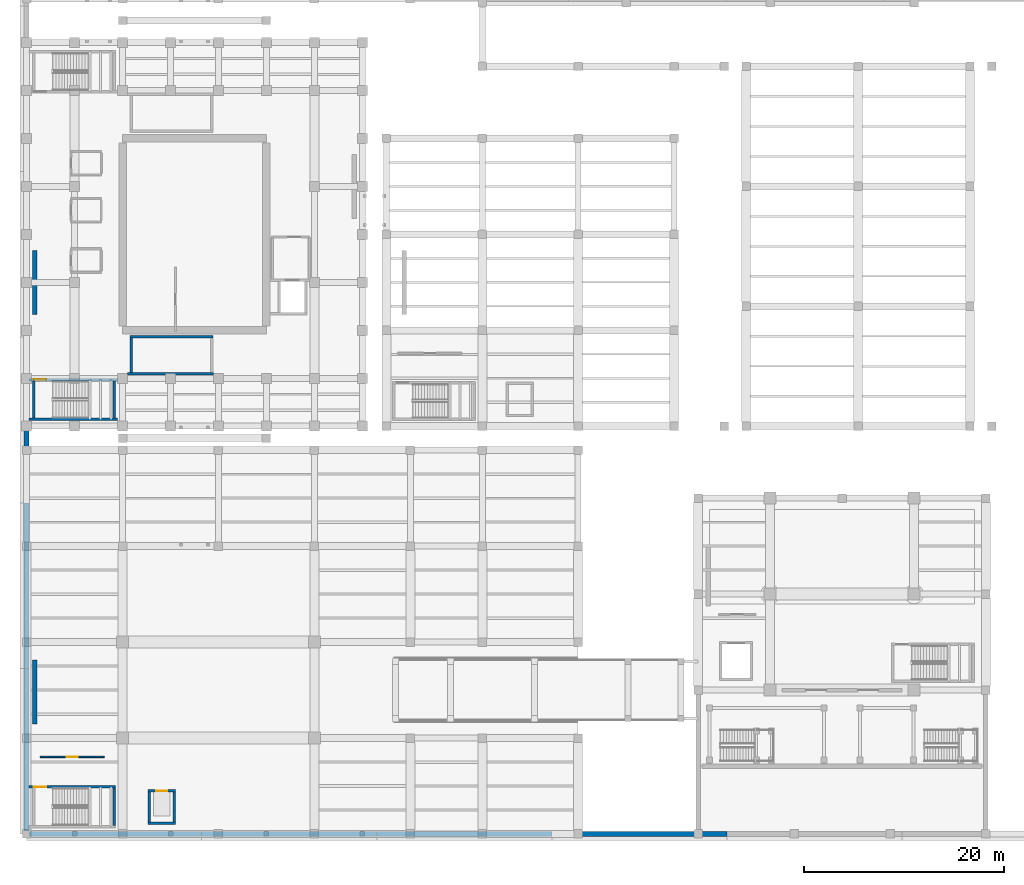
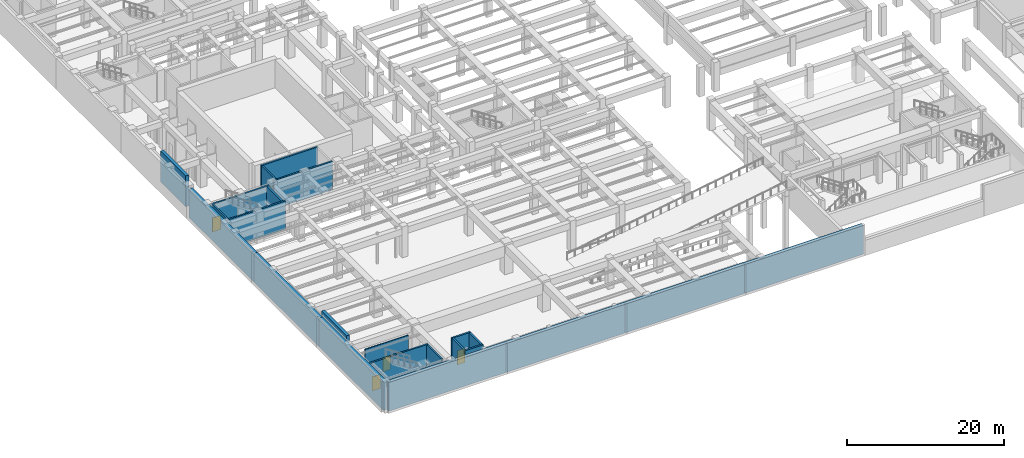
# One storey, part 23 of 45: 23 walls, 4 doors, 4 openings.
"""IFC4 building model written with IfcOpenShell, lengths in metres."""

from ifc_helpers import new_model, si_unit, direction, frame, frame_2d, origin, place, context, subcontext, project, spatial, rectangle, extrude, material, layer, layer_set, type_object, element, fill, save


model = new_model("IFC4")

# Units and contexts
model_context = context("Model", 3, precision=1e-05, world=origin(), true_north=direction((0.0, 1.0)))
body_context = subcontext(model_context, "Body", "Model", "MODEL_VIEW")
ifc_project = project(units=[si_unit("LENGTHUNIT", "METRE"), si_unit("AREAUNIT", "SQUARE_METRE"), si_unit("VOLUMEUNIT", "CUBIC_METRE"), si_unit("PLANEANGLEUNIT", "RADIAN"), si_unit("MASSUNIT", "GRAM", prefix="KILO")], contexts=[model_context])

# Site, building, storey
site_placement = place(None, origin())
site = spatial("IfcSite", under=ifc_project, at=site_placement, CompositionType="ELEMENT")
building_placement = place(site_placement, origin())
building = spatial("IfcBuilding", under=site, at=building_placement, Name="Mavantir Sound Aquarium", CompositionType="ELEMENT")
storey_placement = place(building_placement, frame((0.0, 0.0, -4.800048828125)))
storey = spatial("IfcBuildingStorey", under=building, at=storey_placement, Name="B1", CompositionType="ELEMENT", Elevation=-4.800048828125)

# Wall, opening, door
ifc_material_1 = material(Name="Moisture-Resistant Marine Gypsum Partition", Category="gypsum")
ifc_layer_1 = layer(ifc_material_1, 0.14990234375, Name="Moisture-Resistant Marine Gypsum Partition")
ifc_layer_set_1 = layer_set([ifc_layer_1], Name="Moisture-Resistant Marine Gypsum Partition")
wall_type_1 = type_object("IfcWallType", Name="IW-PART-150", PredefinedType="PARTITIONING", material=ifc_layer_set_1)
wall_1_placement = place(storey_placement, frame((1.35009765625, 7.72509765625, 0.0), z_axis=(0.0, 0.0, 1.0), x_axis=(1.0, 0.0, 0.0)))
wall_1 = element("IfcWall", 1, at=wall_1_placement, inside=storey, type_object=wall_type_1, Name="B1 Visitor and Accessible Closed-Loop Parking Garage entry partition", PredefinedType="PARTITIONING", context=body_context, shape_type="SweptSolid", body=[
    extrude(rectangle(XDim=6.39990234375, YDim=0.14990234375, at=frame_2d((3.199951171875, 0.0))), origin(), (0.0, 0.0, 1.0), 4.43994140625),
])
opening_1_placement = place(wall_1_placement, frame((2.64990234375, 0.0, 0.0)))
opening_1 = element("IfcOpeningElement", 2, at=opening_1_placement, cuts=wall_1, Name="Opening ID-06", PredefinedType="OPENING", context=body_context, shape_type="SweptSolid", body=[
    extrude(rectangle(XDim=1.10009765625, YDim=2.199951171875, at=frame_2d((0.550048828125, 1.10009765625))), frame((0.0, 0.0849609375, 0.0), z_axis=(0.0, -1.0, 0.0), x_axis=(1.0, 0.0, 0.0)), (0.0, 0.0, 1.0), 0.169921875),
])
ifc_material_2 = material(Name="Solid-Core Marine Hardwood and Vision-Panel Door", Category="wood")
door_type_1 = type_object("IfcDoorType", Name="DR-INT-06", OperationType="NOTDEFINED", PredefinedType="DOOR", material=ifc_material_2)
door_1_placement = place(opening_1_placement, origin())
door_1 = element("IfcDoor", 3, at=door_1_placement, inside=storey, type_object=door_type_1, Name="Visitor and Accessible Closed-Loop Parking Garage door", OperationType="SINGLE_SWING_LEFT", OverallHeight=2.199951171875, OverallWidth=1.10009765625, PredefinedType="DOOR", context=body_context, shape_type="SweptSolid", body=[
    extrude(rectangle(XDim=1.10009765625, YDim=2.199951171875, at=frame_2d((0.550048828125, 1.10009765625))), frame((0.0, 0.02490234375, 0.0), z_axis=(0.0, -1.0, 0.0), x_axis=(1.0, 0.0, 0.0)), (0.0, 0.0, 1.0), 0.050048828125),
])
fill(opening_1, door_1)

# Wall
ifc_material_3 = material(Name="Concrete C40/50", Category="concrete")
ifc_layer_2 = layer(ifc_material_3, 0.25, Name="Concrete C40/50")
ifc_layer_set_2 = layer_set([ifc_layer_2], Name="Concrete C40/50")
wall_type_2 = type_object("IfcWallType", Name="IW-SHAFT-250", PredefinedType="SHEAR", material=ifc_layer_set_2)
wall_2_placement = place(storey_placement, frame((0.25, 41.47509765625, 0.0), z_axis=(0.0, 0.0, 1.0), x_axis=(1.0, 0.0, 0.0)))
element("IfcWall", 4, at=wall_2_placement, inside=storey, type_object=wall_type_2, Name="B1 stair ST1 shaft wall S", PredefinedType="SHEAR", context=body_context, shape_type="SweptSolid", body=[
    extrude(rectangle(XDim=8.85009765625, YDim=0.25, at=frame_2d((4.425048828125, 0.0))), origin(), (0.0, 0.0, 1.0), 4.400146484375),
])

# Wall, opening, door
wall_3_placement = place(storey_placement, frame((9.10009765625, 45.47509765625, 0.0), z_axis=(0.0, 0.0, 1.0), x_axis=(-1.0, 0.0, 0.0)))
wall_3 = element("IfcWall", 5, at=wall_3_placement, inside=storey, type_object=wall_type_2, Name="B1 stair ST1 shaft wall N", PredefinedType="SHEAR", context=body_context, shape_type="SweptSolid", body=[
    extrude(rectangle(XDim=8.85009765625, YDim=0.25, at=frame_2d((4.425048828125, 0.0))), origin(), (0.0, 0.0, 1.0), 4.400146484375),
])
opening_2_placement = place(wall_3_placement, frame((8.39990234375, 0.0, 0.0), z_axis=(0.0, 0.0, 1.0), x_axis=(-1.0, 0.0, 0.0)))
opening_2 = element("IfcOpeningElement", 6, at=opening_2_placement, cuts=wall_3, Name="Opening SD-01", PredefinedType="OPENING", context=body_context, shape_type="SweptSolid", body=[
    extrude(rectangle(XDim=1.25, YDim=2.199951171875, at=frame_2d((0.625, 1.10009765625))), frame((0.0, 0.135009765625, 0.0), z_axis=(0.0, -1.0, 0.0), x_axis=(1.0, 0.0, 0.0)), (0.0, 0.0, 1.0), 0.27001953125),
])
ifc_material_4 = material(Name="Fire-Rated Steel Acoustic Door Leaf", Category="steel")
door_type_2 = type_object("IfcDoorType", Name="DR-ST-125", OperationType="NOTDEFINED", PredefinedType="DOOR", material=ifc_material_4)
door_2_placement = place(opening_2_placement, origin())
door_2 = element("IfcDoor", 7, at=door_2_placement, inside=storey, type_object=door_type_2, Name="B1 protected exit stair ST1 door", OperationType="SINGLE_SWING_RIGHT", OverallHeight=2.199951171875, OverallWidth=1.25, PredefinedType="DOOR", context=body_context, shape_type="SweptSolid", body=[
    extrude(rectangle(XDim=1.25, YDim=2.199951171875, at=frame_2d((0.625, 1.10009765625))), frame((0.0, 0.02490234375, 0.0), z_axis=(0.0, -1.0, 0.0), x_axis=(1.0, 0.0, 0.0)), (0.0, 0.0, 1.0), 0.050048828125),
])
fill(opening_2, door_2)

# Walls
for number, where, z_axis, x_axis, name in (
    (8, (0.72509765625, 45.35009765625, 0.0), (0.0, 0.0, 1.0), (0.0, -1.0, 0.0), "B1 stair ST1 shaft wall W"),
    (9, (8.77490234375, 41.60009765625, 0.0), (0.0, 0.0, 1.0), (0.0, 1.0, 0.0), "B1 stair ST1 shaft wall E"),
):
    element("IfcWall", number, at=place(storey_placement, frame(where, z_axis=z_axis, x_axis=x_axis)), inside=storey, type_object=wall_type_2, Name=name, PredefinedType="SHEAR", context=body_context, shape_type="SweptSolid", body=[
        extrude(rectangle(XDim=3.75, YDim=0.25, at=frame_2d((1.875, 0.0))), origin(), (0.0, 0.0, 1.0), 4.400146484375),
    ])
wall_4_placement = place(storey_placement, frame((10.10009765625, 46.074951171875, 0.0), z_axis=(0.0, 0.0, 1.0), x_axis=(1.0, 0.0, 0.0)))
element("IfcWall", 10, at=wall_4_placement, inside=storey, type_object=wall_type_2, Name="B1 stair ST9 shaft wall S", PredefinedType="SHEAR", context=body_context, shape_type="SweptSolid", body=[
    extrude(rectangle(XDim=8.599853515625, YDim=0.25, at=frame_2d((4.2998046875, 0.0))), origin(), (0.0, 0.0, 1.0), 4.400146484375),
])
wall_5_placement = place(storey_placement, frame((18.64990234375, 49.77490234375, 0.0), z_axis=(0.0, 0.0, 1.0), x_axis=(-1.0, 0.0, 0.0)))
element("IfcWall", 11, at=wall_5_placement, inside=storey, type_object=wall_type_2, Name="B1 stair ST9 shaft wall N", PredefinedType="SHEAR", context=body_context, shape_type="SweptSolid", body=[
    extrude(rectangle(XDim=8.2998046875, YDim=0.25, at=frame_2d((4.14990234375, 0.0))), origin(), (0.0, 0.0, 1.0), 4.400146484375),
])
wall_6_placement = place(storey_placement, frame((10.47509765625, 49.64990234375, 0.0), z_axis=(0.0, 0.0, 1.0), x_axis=(0.0, -1.0, 0.0)))
element("IfcWall", 12, at=wall_6_placement, inside=storey, type_object=wall_type_2, Name="B1 stair ST9 shaft wall W", PredefinedType="SHEAR", context=body_context, shape_type="SweptSolid", body=[
    extrude(rectangle(XDim=3.449951171875, YDim=0.25, at=frame_2d((1.72509765625, 0.0))), origin(), (0.0, 0.0, 1.0), 4.400146484375),
])

# Wall, opening, door
wall_7_placement = place(storey_placement, frame((8.89990234375, 4.72509765625, 0.0), z_axis=(0.0, 0.0, 1.0), x_axis=(-1.0, 0.0, 0.0)))
wall_7 = element("IfcWall", 13, at=wall_7_placement, inside=storey, type_object=wall_type_2, Name="B1 stair ST3 shaft wall N", PredefinedType="SHEAR", context=body_context, shape_type="SweptSolid", body=[
    extrude(rectangle(XDim=8.64990234375, YDim=0.25, at=frame_2d((4.324951171875, 0.0))), origin(), (0.0, 0.0, 1.0), 4.5),
])
opening_3_placement = place(wall_7_placement, frame((8.199951171875, 0.0, 0.0), z_axis=(0.0, 0.0, 1.0), x_axis=(-1.0, 0.0, 0.0)))
opening_3 = element("IfcOpeningElement", 14, at=opening_3_placement, cuts=wall_7, Name="Opening SD-01", PredefinedType="OPENING", context=body_context, shape_type="SweptSolid", body=[
    extrude(rectangle(XDim=1.25, YDim=2.199951171875, at=frame_2d((0.625, 1.10009765625))), frame((0.0, 0.135009765625, 0.0), z_axis=(0.0, -1.0, 0.0), x_axis=(1.0, 0.0, 0.0)), (0.0, 0.0, 1.0), 0.27001953125),
])
door_3_placement = place(opening_3_placement, origin())
door_3 = element("IfcDoor", 15, at=door_3_placement, inside=storey, type_object=door_type_2, Name="B1 protected exit stair ST3 door", OperationType="SINGLE_SWING_RIGHT", OverallHeight=2.199951171875, OverallWidth=1.25, PredefinedType="DOOR", context=body_context, shape_type="SweptSolid", body=[
    extrude(rectangle(XDim=1.25, YDim=2.199951171875, at=frame_2d((0.625, 1.10009765625))), frame((0.0, 0.02490234375, 0.0), z_axis=(0.0, -1.0, 0.0), x_axis=(1.0, 0.0, 0.0)), (0.0, 0.0, 1.0), 0.050048828125),
])
fill(opening_3, door_3)

# Walls
wall_8_placement = place(storey_placement, frame((8.77490234375, 0.85009765625, 0.0), z_axis=(0.0, 0.0, 1.0), x_axis=(0.0, 1.0, 0.0)))
element("IfcWall", 16, at=wall_8_placement, inside=storey, type_object=wall_type_2, Name="B1 stair ST3 shaft wall E", PredefinedType="SHEAR", context=body_context, shape_type="SweptSolid", body=[
    extrude(rectangle(XDim=3.75, YDim=0.25, at=frame_2d((1.875, 0.0))), origin(), (0.0, 0.0, 1.0), 4.5),
])
wall_9_placement = place(storey_placement, frame((12.14990234375, 1.074951171875, 0.0), z_axis=(0.0, 0.0, 1.0), x_axis=(1.0, 0.0, 0.0)))
element("IfcWall", 17, at=wall_9_placement, inside=storey, type_object=wall_type_2, Name="B1 lift LC3 shaft wall S", PredefinedType="SHEAR", context=body_context, shape_type="SweptSolid", body=[
    extrude(rectangle(XDim=2.75, YDim=0.25, at=frame_2d((1.375, 0.0))), origin(), (0.0, 0.0, 1.0), 4.5),
])

# Wall, opening, door
wall_10_placement = place(storey_placement, frame((12.14990234375, 4.324951171875, 0.0), z_axis=(0.0, 0.0, 1.0), x_axis=(1.0, 0.0, 0.0)))
wall_10 = element("IfcWall", 18, at=wall_10_placement, inside=storey, type_object=wall_type_2, Name="B1 lift LC3 shaft wall N", PredefinedType="SHEAR", context=body_context, shape_type="SweptSolid", body=[
    extrude(rectangle(XDim=2.75, YDim=0.25, at=frame_2d((1.375, 0.0))), origin(), (0.0, 0.0, 1.0), 4.5),
])
opening_4_placement = place(wall_10_placement, frame((0.824951171875, 0.0, 0.0)))
opening_4 = element("IfcOpeningElement", 19, at=opening_4_placement, cuts=wall_10, Name="Opening LD-02", PredefinedType="OPENING", context=body_context, shape_type="SweptSolid", body=[
    extrude(rectangle(XDim=1.10009765625, YDim=2.199951171875, at=frame_2d((0.550048828125, 1.10009765625))), frame((0.0, 0.135009765625, 0.0), z_axis=(0.0, -1.0, 0.0), x_axis=(1.0, 0.0, 0.0)), (0.0, 0.0, 1.0), 0.27001953125),
])
ifc_material_5 = material(Name="Stainless Steel 316 Sliding Lift Landing Door", Category="steel")
door_type_3 = type_object("IfcDoorType", Name="DR-LD-110", OperationType="NOTDEFINED", PredefinedType="DOOR", material=ifc_material_5)
door_4_placement = place(opening_4_placement, origin())
door_4 = element("IfcDoor", 20, at=door_4_placement, inside=storey, type_object=door_type_3, Name="Lift LC3 sliding landing door (B1)", OperationType="DOUBLE_DOOR_SLIDING", OverallHeight=2.199951171875, OverallWidth=1.10009765625, PredefinedType="DOOR", context=body_context, shape_type="SweptSolid", body=[
    extrude(rectangle(XDim=1.10009765625, YDim=2.199951171875, at=frame_2d((0.550048828125, 1.10009765625))), frame((0.0, 0.02490234375, 0.0), z_axis=(0.0, -1.0, 0.0), x_axis=(1.0, 0.0, 0.0)), (0.0, 0.0, 1.0), 0.050048828125),
])
fill(opening_4, door_4)

# Walls
for number, where, z_axis, x_axis, name in (
    (21, (12.27490234375, 1.199951171875, 0.0), (0.0, 0.0, 1.0), (0.0, 1.0, 0.0), "B1 lift LC3 shaft wall W"),
    (22, (14.77490234375, 1.199951171875, 0.0), (0.0, 0.0, 1.0), (0.0, 1.0, 0.0), "B1 lift LC3 shaft wall E"),
):
    element("IfcWall", number, at=place(storey_placement, frame(where, z_axis=z_axis, x_axis=x_axis)), inside=storey, type_object=wall_type_2, Name=name, PredefinedType="SHEAR", context=body_context, shape_type="SweptSolid", body=[
        extrude(rectangle(XDim=3.0, YDim=0.25, at=frame_2d((1.5, 0.0))), origin(), (0.0, 0.0, 1.0), 4.5),
    ])
ifc_layer_3 = layer(ifc_material_3, 0.5, Name="Concrete C40/50")
ifc_layer_set_3 = layer_set([ifc_layer_3], Name="Concrete C40/50")
wall_type_3 = type_object("IfcWallType", Name="SW-RET-500", PredefinedType="USERDEFINED", material=ifc_layer_set_3)
wall_11_placement = place(storey_placement, frame((0.0, 0.280029296875, 0.0), z_axis=(0.0, 0.0, 1.0), x_axis=(0.0, 1.0, 0.0)))
element("IfcWall", 23, at=wall_11_placement, inside=storey, type_object=wall_type_3, Name="B1 perimeter plinth retaining wall 2", ObjectType="RETAINING WALL", PredefinedType="USERDEFINED", context=body_context, shape_type="SweptSolid", body=[
    extrude(rectangle(XDim=16.291015625, YDim=0.5, at=frame_2d((8.1455078125, 0.0))), origin(), (0.0, 0.0, 1.0), 4.5),
])
wall_12_placement = place(storey_placement, frame((0.0, 16.571044921875, 0.0), z_axis=(0.0, 0.0, 1.0), x_axis=(0.0, 1.0, 0.0)))
element("IfcWall", 24, at=wall_12_placement, inside=storey, type_object=wall_type_3, Name="B1 perimeter plinth retaining wall 4", ObjectType="RETAINING WALL", PredefinedType="USERDEFINED", context=body_context, shape_type="SweptSolid", body=[
    extrude(rectangle(XDim=16.572021484375, YDim=0.5, at=frame_2d((8.2861328125, 0.0))), origin(), (0.0, 0.0, 1.0), 4.5),
])
wall_13_placement = place(storey_placement, frame((0.0, 33.14306640625, 0.0), z_axis=(0.0, 0.0, 1.0), x_axis=(0.0, 1.0, 0.0)))
element("IfcWall", 25, at=wall_13_placement, inside=storey, type_object=wall_type_3, Name="B1 perimeter plinth retaining wall 6", ObjectType="RETAINING WALL", PredefinedType="USERDEFINED", context=body_context, shape_type="SweptSolid", body=[
    extrude(rectangle(XDim=16.571044921875, YDim=0.5, at=frame_2d((8.28564453125, 0.0))), origin(), (0.0, 0.0, 1.0), 4.5),
])
for number, where, z_axis, x_axis, name in (
    (26, (70.080078125, 0.0, 0.0), (0.0, 0.0, 1.0), (-1.0, 0.0, 0.0), "B1 perimeter plinth retaining wall 98"),
    (27, (52.56005859375, 0.0, 0.0), (0.0, 0.0, 1.0), (-1.0, 0.0, 0.0), "B1 perimeter plinth retaining wall 100"),
    (28, (35.0400390625, 0.0, 0.0), (0.0, 0.0, 1.0), (-1.0, 0.0, 0.0), "B1 perimeter plinth retaining wall 102"),
):
    element("IfcWall", number, at=place(storey_placement, frame(where, z_axis=z_axis, x_axis=x_axis)), inside=storey, type_object=wall_type_3, Name=name, ObjectType="RETAINING WALL", PredefinedType="USERDEFINED", context=body_context, shape_type="SweptSolid", body=[
        extrude(rectangle(XDim=17.52001953125, YDim=0.5, at=frame_2d((8.760009765625, 0.0))), origin(), (0.0, 0.0, 1.0), 4.5),
    ])
wall_14_placement = place(storey_placement, frame((17.52001953125, 0.0, 0.0), z_axis=(0.0, 0.0, 1.0), x_axis=(-1.0, 0.0, 0.0)))
element("IfcWall", 29, at=wall_14_placement, inside=storey, type_object=wall_type_3, Name="B1 perimeter plinth retaining wall 104", ObjectType="RETAINING WALL", PredefinedType="USERDEFINED", context=body_context, shape_type="SweptSolid", body=[
    extrude(rectangle(XDim=17.239990234375, YDim=0.5, at=frame_2d((8.6201171875, 0.0))), origin(), (0.0, 0.0, 1.0), 4.5),
])
ifc_layer_4 = layer(ifc_material_3, 0.449951171875, Name="Concrete C40/50")
ifc_layer_set_4 = layer_set([ifc_layer_4], Name="Concrete C40/50")
wall_type_4 = type_object("IfcWallType", Name="SW-SHR-450", PredefinedType="SHEAR", material=ifc_layer_set_4)
for number, where, z_axis, x_axis, name in (
    (30, (0.800048828125, 52.0, 0.0), (0.0, 0.0, 1.0), (0.0, 1.0, 0.0), "B1 special RC shear wall 2 (V1)"),
    (31, (0.800048828125, 11.0, 0.0), (0.0, 0.0, 1.0), (0.0, 1.0, 0.0), "B1 special RC shear wall 19 (V3)"),
):
    element("IfcWall", number, at=place(storey_placement, frame(where, z_axis=z_axis, x_axis=x_axis)), inside=storey, type_object=wall_type_4, Name=name, PredefinedType="SHEAR", context=body_context, shape_type="SweptSolid", body=[
        extrude(rectangle(XDim=6.39990234375, YDim=0.449951171875, at=frame_2d((3.199951171875, 0.0))), origin(), (0.0, 0.0, 1.0), 4.800048828125),
    ])

save(model, "model.ifc")
